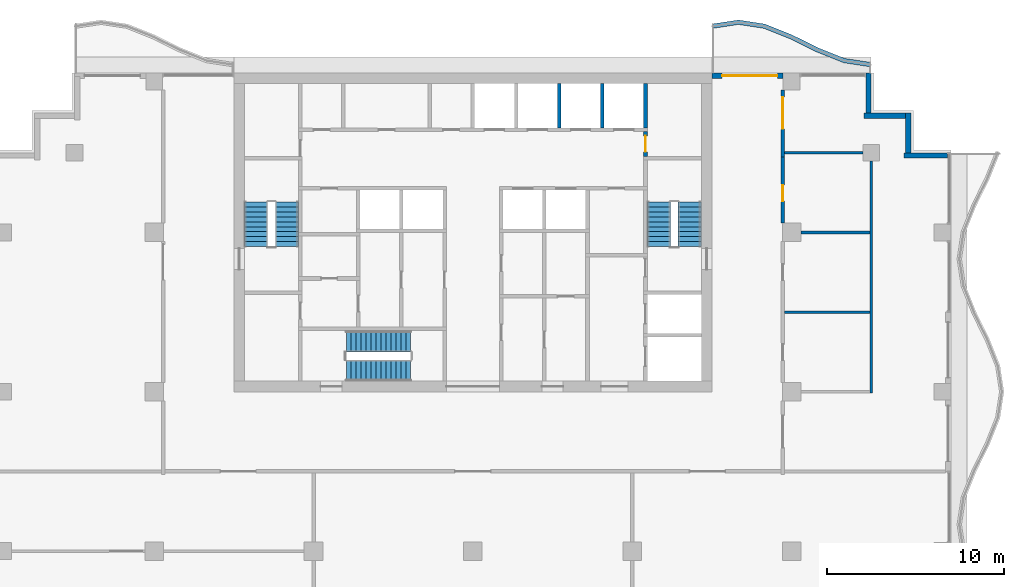
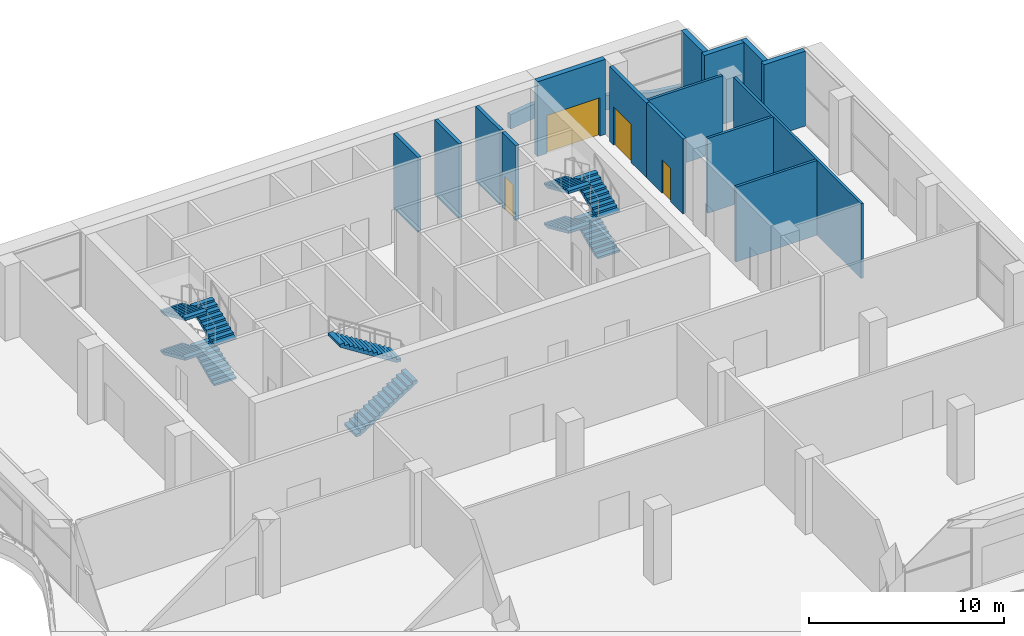
# One storey, part 10 of 15: 16 walls, 10 stair flights, 4 doors, 4 openings, 3 elements without a shape of their own.
"""IFC4 building model written with IfcOpenShell, lengths in metres."""

from ifc_helpers import new_model, si_unit, direction, frame, frame_2d, origin, place, context, subcontext, project, spatial, polyline, rectangle, outline, extrude, material, layer, layer_set, type_object, element, fill, aggregate, save


model = new_model("IFC4")

# Units and contexts
model_context = context("Model", 3, precision=1e-05, world=origin(), true_north=direction((0.0, 1.0)))
body_context = subcontext(model_context, "Body", "Model", "MODEL_VIEW")
ifc_project = project(units=[si_unit("LENGTHUNIT", "METRE"), si_unit("AREAUNIT", "SQUARE_METRE"), si_unit("VOLUMEUNIT", "CUBIC_METRE"), si_unit("PLANEANGLEUNIT", "RADIAN"), si_unit("MASSUNIT", "GRAM", prefix="KILO")], contexts=[model_context])

# Site, building, storey
site_placement = place(None, origin())
site = spatial("IfcSite", under=ifc_project, at=site_placement, CompositionType="ELEMENT")
building_placement = place(site_placement, origin())
building = spatial("IfcBuilding", under=site, at=building_placement, Name="Orbiselva Terraces", CompositionType="ELEMENT")
storey_placement = place(building_placement, frame((0.0, 0.0, 233.8)))
storey = spatial("IfcBuildingStorey", under=building, at=storey_placement, Name="L59", CompositionType="ELEMENT", Elevation=233.8)

# Wall, opening, door
ifc_material_1 = material(Name="Masonry blockwork", Category="masonry")
ifc_layer_1 = layer(ifc_material_1, 0.2)
ifc_layer_set_1 = layer_set([ifc_layer_1], Name="Masonry blockwork")
wall_type_1 = type_object("IfcWallType", Name="CORE-WALL-PARTITION-200", PredefinedType="PARTITIONING", material=ifc_layer_set_1)
wall_1_placement = place(storey_placement, frame((9.75, 19.2, 0.0), z_axis=(0.0, 0.0, 1.0), x_axis=(0.0, -1.0, 0.0)))
wall_1 = element("IfcWall", 1, at=wall_1_placement, inside=storey, type_object=wall_type_1, Name="L59 core wall 53", PredefinedType="PARTITIONING", context=body_context, shape_type="SweptSolid", body=[
    extrude(rectangle(XDim=1.4, YDim=0.2, at=frame_2d((0.7, 0.0))), origin(), (0.0, 0.0, 1.0), 4.7),
])
opening_1_placement = place(wall_1_placement, frame((0.25, 0.0, 0.0)))
opening_1 = element("IfcOpeningElement", 2, at=opening_1_placement, cuts=wall_1, Name="Opening DR900", PredefinedType="OPENING", context=body_context, shape_type="SweptSolid", body=[
    extrude(rectangle(XDim=0.9, YDim=2.1, at=frame_2d((0.45, 1.05))), frame((0.0, 0.11, 0.0), z_axis=(0.0, -1.0, 0.0), x_axis=(1.0, 0.0, 0.0)), (0.0, 0.0, 1.0), 0.22),
])
ifc_material_2 = material(Name="Steel fire door", Category="steel")
door_type_1 = type_object("IfcDoorType", Name="ROOM DOOR 900", OperationType="NOTDEFINED", PredefinedType="DOOR", material=ifc_material_2)
door_1_placement = place(opening_1_placement, origin())
door_1 = element("IfcDoor", 3, at=door_1_placement, inside=storey, type_object=door_type_1, Name="L59 COMMS RISER ROOM door", OperationType="SINGLE_SWING_RIGHT", OverallHeight=2.1, OverallWidth=0.9, PredefinedType="DOOR", context=body_context, shape_type="SweptSolid", body=[
    extrude(rectangle(XDim=0.9, YDim=2.1, at=frame_2d((0.45, 1.05))), frame((0.0, 0.025, 0.0), z_axis=(0.0, -1.0, 0.0), x_axis=(1.0, 0.0, 0.0)), (0.0, 0.0, 1.0), 0.05),
])
fill(opening_1, door_1)

# Walls
ifc_material_3 = material(Name="Concrete C40/50", Category="concrete")
ifc_layer_2 = layer(ifc_material_3, 0.2)
ifc_layer_set_2 = layer_set([ifc_layer_2], Name="Concrete C40/50")
wall_type_2 = type_object("IfcWallType", Name="CORE-WALL-SHAFT-200", PredefinedType="PARTITIONING", material=ifc_layer_set_2)
for number, where, z_axis, x_axis, name in (
    (4, (4.875, 19.4, 0.0), (0.0, 0.0, 1.0), (0.0, 1.0, 0.0), "L59 core wall 38"),
    (5, (7.3125, 19.4, 0.0), (0.0, 0.0, 1.0), (0.0, 1.0, 0.0), "L59 core wall 44"),
    (6, (9.75, 19.4, 0.0), (0.0, 0.0, 1.0), (0.0, 1.0, 0.0), "L59 core wall 54"),
):
    element("IfcWall", number, at=place(storey_placement, frame(where, z_axis=z_axis, x_axis=x_axis)), inside=storey, type_object=wall_type_2, Name=name, PredefinedType="PARTITIONING", context=body_context, shape_type="SweptSolid", body=[
        extrude(rectangle(XDim=2.5, YDim=0.2, at=frame_2d((1.25, 0.0))), origin(), (0.0, 0.0, 1.0), 4.7),
    ])
ifc_layer_3 = layer(ifc_material_3, 0.25)
ifc_layer_set_3 = layer_set([ifc_layer_3], Name="Concrete C40/50")
wall_type_3 = type_object("IfcWallType", Name="ENV-PLANTER-250x900", PredefinedType="USERDEFINED", material=ifc_layer_set_3)
wall_2_placement = place(storey_placement, origin())
element("IfcWall", 7, at=wall_2_placement, inside=storey, type_object=wall_type_3, Name="Balcony planter L59 NE", ObjectType="PLANTER", PredefinedType="USERDEFINED", context=body_context, shape_type="SweptSolid", body=[
    extrude(outline(polyline([(22.5, 23.1), (21.0, 23.32918), (19.5, 23.92918), (18.0, 24.67082), (16.5, 25.27082), (15.0, 25.5), (13.5, 25.27082), (13.537758, 25.023688), (15.0, 25.247099), (16.433834, 25.028028), (17.898017, 24.442355), (19.398017, 23.700715), (20.933834, 23.086388), (22.462242, 22.852868), (22.5, 23.1)])), origin(), (0.0, 0.0, 1.0), 0.9),
])
ifc_material_4 = material(Name="Terracotta cladding on masonry backing", Category="masonry")
ifc_layer_4 = layer(ifc_material_4, 0.3)
ifc_layer_set_4 = layer_set([ifc_layer_4], Name="Terracotta cladding on masonry backing")
wall_type_4 = type_object("IfcWallType", Name="ENV-WALL-TERRACOTTA-300", PredefinedType="SOLIDWALL", material=ifc_layer_set_4)
wall_3_placement = place(storey_placement, frame((24.35, 17.85, 0.0), z_axis=(0.0, 0.0, 1.0), x_axis=(1.0, 0.0, 0.0)))
element("IfcWall", 8, at=wall_3_placement, inside=storey, type_object=wall_type_4, Name="Facade wall L59 STEP", PredefinedType="SOLIDWALL", context=body_context, shape_type="SweptSolid", body=[
    extrude(rectangle(XDim=2.45, YDim=0.3, at=frame_2d((1.225, 0.0))), origin(), (0.0, 0.0, 1.0), 4.7),
])
wall_4_placement = place(storey_placement, frame((24.6, 20.25, 0.0), z_axis=(0.0, 0.0, 1.0), x_axis=(0.0, -1.0, 0.0)))
element("IfcWall", 9, at=wall_4_placement, inside=storey, type_object=wall_type_4, Name="Facade wall L59 STEP", PredefinedType="SOLIDWALL", context=body_context, shape_type="SweptSolid", body=[
    extrude(rectangle(XDim=2.25, YDim=0.3, at=frame_2d((1.125, 0.0))), origin(), (0.0, 0.0, 1.0), 4.7),
])
wall_5_placement = place(storey_placement, frame((22.1, 20.1, 0.0), z_axis=(0.0, 0.0, 1.0), x_axis=(1.0, 0.0, 0.0)))
element("IfcWall", 10, at=wall_5_placement, inside=storey, type_object=wall_type_4, Name="Facade wall L59 STEP", PredefinedType="SOLIDWALL", context=body_context, shape_type="SweptSolid", body=[
    extrude(rectangle(XDim=2.35, YDim=0.3, at=frame_2d((1.175, 0.0))), origin(), (0.0, 0.0, 1.0), 4.7),
])
wall_6_placement = place(storey_placement, frame((22.35, 22.5, 0.0), z_axis=(0.0, 0.0, 1.0), x_axis=(0.0, -1.0, 0.0)))
element("IfcWall", 11, at=wall_6_placement, inside=storey, type_object=wall_type_4, Name="Facade wall L59 STEP", PredefinedType="SOLIDWALL", context=body_context, shape_type="SweptSolid", body=[
    extrude(rectangle(XDim=2.25, YDim=0.3, at=frame_2d((1.125, 0.0))), origin(), (0.0, 0.0, 1.0), 4.7),
])

# Wall, opening, door
wall_7_placement = place(storey_placement, frame((13.5, 22.35, 0.0), z_axis=(0.0, 0.0, 1.0), x_axis=(1.0, 0.0, 0.0)))
wall_7 = element("IfcWall", 12, at=wall_7_placement, inside=storey, type_object=wall_type_4, Name="Facade wall L59 NE", PredefinedType="SOLIDWALL", context=body_context, shape_type="SweptSolid", body=[
    extrude(rectangle(XDim=4.025, YDim=0.3, at=frame_2d((2.0125, 0.0))), origin(), (0.0, 0.0, 1.0), 4.7),
])
opening_2_placement = place(wall_7_placement, frame((0.575, 0.0, 0.0)))
opening_2 = element("IfcOpeningElement", 13, at=opening_2_placement, cuts=wall_7, Name="Opening SKY-4-E08", PredefinedType="OPENING", context=body_context, shape_type="SweptSolid", body=[
    extrude(rectangle(XDim=3.125, YDim=2.4, at=frame_2d((1.5625, 1.2))), frame((0.0, 0.16, 0.0), z_axis=(0.0, -1.0, 0.0), x_axis=(1.0, 0.0, 0.0)), (0.0, 0.0, 1.0), 0.32),
])
ifc_material_5 = material(Name="Clear low-e glazing in aluminium frame", Category="aluminium")
door_type_2 = type_object("IfcDoorType", Name="BALCONY DOOR 3125 X 2400", OperationType="DOUBLE_DOOR_SLIDING", PredefinedType="DOOR", material=ifc_material_5)
door_2_placement = place(opening_2_placement, origin())
door_2 = element("IfcDoor", 14, at=door_2_placement, inside=storey, type_object=door_type_2, Name="SKY-4-E08", OperationType="SINGLE_SWING_LEFT", OverallHeight=2.4, OverallWidth=3.125, PredefinedType="DOOR", context=body_context, shape_type="SweptSolid", body=[
    extrude(rectangle(XDim=3.125, YDim=2.4, at=frame_2d((1.5625, 1.2))), frame((0.0, 0.025, 0.0), z_axis=(0.0, -1.0, 0.0), x_axis=(1.0, 0.0, 0.0)), (0.0, 0.0, 1.0), 0.05),
])
fill(opening_2, door_2)

ifc_material_6 = material(Name="Plasterboard on steel stud partition", Category="steel")
ifc_layer_5 = layer(ifc_material_6, 0.2)
ifc_layer_set_5 = layer_set([ifc_layer_5], Name="Plasterboard on steel stud partition")
wall_type_5 = type_object("IfcWallType", Name="UNIT-ENTRANCE-WALL-200", PredefinedType="PARTITIONING", material=ifc_layer_set_5)
wall_8_placement = place(storey_placement, frame((17.5, 17.7625, 0.0), z_axis=(0.0, 0.0, 1.0), x_axis=(0.0, -1.0, 0.0)))
wall_8 = element("IfcWall", 15, at=wall_8_placement, inside=storey, type_object=wall_type_5, Name="PARTITION L59-025", PredefinedType="PARTITIONING", context=body_context, shape_type="SweptSolid", body=[
    extrude(rectangle(XDim=3.7375, YDim=0.2, at=frame_2d((1.86875, 0.0))), origin(), (0.0, 0.0, 1.0), 4.7),
])
opening_3_placement = place(wall_8_placement, frame((1.5875, 0.0, 0.0)))
opening_3 = element("IfcOpeningElement", 16, at=opening_3_placement, cuts=wall_8, Name="Opening SKY-4-09", PredefinedType="OPENING", context=body_context, shape_type="SweptSolid", body=[
    extrude(rectangle(XDim=0.9, YDim=2.1, at=frame_2d((0.45, 1.05))), frame((0.0, 0.11, 0.0), z_axis=(0.0, -1.0, 0.0), x_axis=(1.0, 0.0, 0.0)), (0.0, 0.0, 1.0), 0.22),
])
ifc_material_7 = material(Name="Painted timber door leaf", Category="wood")
door_type_3 = type_object("IfcDoorType", Name="BATH DOOR 900", OperationType="NOTDEFINED", PredefinedType="DOOR", material=ifc_material_7)
door_3_placement = place(opening_3_placement, origin())
door_3 = element("IfcDoor", 17, at=door_3_placement, inside=storey, type_object=door_type_3, Name="SKY-4-09", OperationType="SINGLE_SWING_RIGHT", OverallHeight=2.1, OverallWidth=0.9, PredefinedType="DOOR", context=body_context, shape_type="SweptSolid", body=[
    extrude(rectangle(XDim=0.9, YDim=2.1, at=frame_2d((0.45, 1.05))), frame((0.0, 0.025, 0.0), z_axis=(0.0, -1.0, 0.0), x_axis=(1.0, 0.0, 0.0)), (0.0, 0.0, 1.0), 0.05),
])
fill(opening_3, door_3)

wall_9_placement = place(storey_placement, frame((17.5, 17.7625, 0.0), z_axis=(0.0, 0.0, 1.0), x_axis=(0.0, 1.0, 0.0)))
wall_9 = element("IfcWall", 18, at=wall_9_placement, inside=storey, type_object=wall_type_5, Name="PARTITION L59-026", PredefinedType="PARTITIONING", context=body_context, shape_type="SweptSolid", body=[
    extrude(rectangle(XDim=3.7875, YDim=0.2, at=frame_2d((1.89375, 0.0))), origin(), (0.0, 0.0, 1.0), 4.7),
])
opening_4_placement = place(wall_9_placement, frame((1.5875, 0.0, 0.0)))
opening_4 = element("IfcOpeningElement", 19, at=opening_4_placement, cuts=wall_9, Name="Opening SKY-4-06", PredefinedType="OPENING", context=body_context, shape_type="SweptSolid", body=[
    extrude(rectangle(XDim=1.8, YDim=2.4, at=frame_2d((0.9, 1.2))), frame((0.0, 0.11, 0.0), z_axis=(0.0, -1.0, 0.0), x_axis=(1.0, 0.0, 0.0)), (0.0, 0.0, 1.0), 0.22),
])
door_type_4 = type_object("IfcDoorType", Name="DOUBLE DOOR 1800", OperationType="NOTDEFINED", PredefinedType="DOOR", material=ifc_material_7)
door_4_placement = place(opening_4_placement, origin())
door_4 = element("IfcDoor", 20, at=door_4_placement, inside=storey, type_object=door_type_4, Name="SKY-4-06", OperationType="DOUBLE_DOOR_SINGLE_SWING", OverallHeight=2.4, OverallWidth=1.8, PredefinedType="DOOR", context=body_context, shape_type="SweptSolid", body=[
    extrude(rectangle(XDim=1.8, YDim=2.4, at=frame_2d((0.9, 1.2))), frame((0.0, 0.025, 0.0), z_axis=(0.0, -1.0, 0.0), x_axis=(1.0, 0.0, 0.0)), (0.0, 0.0, 1.0), 0.05),
])
fill(opening_4, door_4)

# Walls
ifc_layer_6 = layer(ifc_material_6, 0.15)
ifc_layer_set_6 = layer_set([ifc_layer_6], Name="Plasterboard on steel stud partition")
wall_type_6 = type_object("IfcWallType", Name="UNIT-PARTITION-150", PredefinedType="PARTITIONING", material=ifc_layer_set_6)
wall_10_placement = place(storey_placement, frame((17.6, 9.0, 0.0), z_axis=(0.0, 0.0, 1.0), x_axis=(1.0, 0.0, 0.0)))
element("IfcWall", 21, at=wall_10_placement, inside=storey, type_object=wall_type_6, Name="PARTITION L59-011", PredefinedType="PARTITIONING", context=body_context, shape_type="SweptSolid", body=[
    extrude(rectangle(XDim=4.825, YDim=0.15, at=frame_2d((2.4125, 0.0))), origin(), (0.0, 0.0, 1.0), 4.7),
])
wall_11_placement = place(storey_placement, frame((18.525, 13.5, 0.0), z_axis=(0.0, 0.0, 1.0), x_axis=(1.0, 0.0, 0.0)))
element("IfcWall", 22, at=wall_11_placement, inside=storey, type_object=wall_type_6, Name="PARTITION L59-012", PredefinedType="PARTITIONING", context=body_context, shape_type="SweptSolid", body=[
    extrude(rectangle(XDim=3.9, YDim=0.15, at=frame_2d((1.95, 0.0))), origin(), (0.0, 0.0, 1.0), 4.7),
])
wall_12_placement = place(storey_placement, frame((17.6, 18.0, 0.0), z_axis=(0.0, 0.0, 1.0), x_axis=(1.0, 0.0, 0.0)))
element("IfcWall", 23, at=wall_12_placement, inside=storey, type_object=wall_type_6, Name="PARTITION L59-013", PredefinedType="PARTITIONING", context=body_context, shape_type="SweptSolid", body=[
    extrude(rectangle(XDim=4.425, YDim=0.15, at=frame_2d((2.2125, 0.0))), origin(), (0.0, 0.0, 1.0), 4.7),
])
wall_13_placement = place(storey_placement, frame((22.5, 4.425, 0.0), z_axis=(0.0, 0.0, 1.0), x_axis=(0.0, 1.0, 0.0)))
element("IfcWall", 24, at=wall_13_placement, inside=storey, type_object=wall_type_6, Name="PARTITION L59-027", PredefinedType="PARTITIONING", context=body_context, shape_type="SweptSolid", body=[
    extrude(rectangle(XDim=13.1, YDim=0.15, at=frame_2d((6.55, 0.0))), origin(), (0.0, 0.0, 1.0), 4.7),
])

# Stair, stair flights
stair_type_1 = type_object("IfcStairType", Name="CORE-STAIR-1200", PredefinedType="HALF_TURN_STAIR", material=ifc_material_3)
stair_1_placement = place(storey_placement, origin())
stair_1 = element("IfcStair", 25, at=stair_1_placement, inside=storey, type_object=stair_type_1, Name="L59 Exit Stair S3", PredefinedType="HALF_TURN_STAIR")
stair_flight_type_1 = type_object("IfcStairFlightType", Name="CORE-STAIR-FLIGHT-1200", PredefinedType="STRAIGHT", material=ifc_material_3)
stair_flight_1_placement = place(storey_placement, frame((-7.15, 5.7, 0.0), z_axis=(0.0, 0.0, 1.0), x_axis=(1.0, 0.0, 0.0)))
stair_flight_1 = element("IfcStairFlight", 26, at=stair_flight_1_placement, type_object=stair_flight_type_1, Name="S3 flight 1", NumberOfRisers=14, NumberOfTreads=13, PredefinedType="STRAIGHT", RiserHeight=0.178571429, TreadLength=0.28, context=body_context, shape_type="SweptSolid", body=[
    extrude(outline(polyline([(0.0, 0.0), (0.0, 0.178571), (0.28, 0.178571), (0.28, 0.357143), (0.56, 0.357143), (0.56, 0.535714), (0.84, 0.535714), (0.84, 0.714286), (1.12, 0.714286), (1.12, 0.892857), (1.4, 0.892857), (1.4, 1.071429), (1.68, 1.071429), (1.68, 1.25), (1.96, 1.25), (1.96, 1.428571), (2.24, 1.428571), (2.24, 1.607143), (2.52, 1.607143), (2.52, 1.785714), (2.8, 1.785714), (2.8, 1.964286), (3.08, 1.964286), (3.08, 2.142857), (3.36, 2.142857), (3.36, 2.321429), (3.64, 2.321429), (3.64, 2.5), (3.64, 2.14352), (0.278961, 0.0), (0.0, 0.0)])), frame((0.0, 0.6, 0.0), z_axis=(0.0, -1.0, 0.0), x_axis=(1.0, 0.0, 0.0)), (0.0, 0.0, 1.0), 1.2),
])
stair_flight_2_placement = place(storey_placement, frame((-3.51, 7.35, 2.5), z_axis=(0.0, 0.0, 1.0), x_axis=(-1.0, 0.0, 0.0)))
stair_flight_2 = element("IfcStairFlight", 27, at=stair_flight_2_placement, type_object=stair_flight_type_1, Name="S3 flight 2", NumberOfRisers=14, NumberOfTreads=13, PredefinedType="STRAIGHT", RiserHeight=0.178571429, TreadLength=0.28, context=body_context, shape_type="SweptSolid", body=[
    extrude(outline(polyline([(0.0, 0.0), (0.0, 0.178571), (0.28, 0.178571), (0.28, 0.357143), (0.56, 0.357143), (0.56, 0.535714), (0.84, 0.535714), (0.84, 0.714286), (1.12, 0.714286), (1.12, 0.892857), (1.4, 0.892857), (1.4, 1.071429), (1.68, 1.071429), (1.68, 1.25), (1.96, 1.25), (1.96, 1.428571), (2.24, 1.428571), (2.24, 1.607143), (2.52, 1.607143), (2.52, 1.785714), (2.8, 1.785714), (2.8, 1.964286), (3.08, 1.964286), (3.08, 2.142857), (3.36, 2.142857), (3.36, 2.321429), (3.64, 2.321429), (3.64, 2.5), (3.64, 2.14352), (0.278961, 0.0), (0.0, 0.0)])), frame((0.0, 0.6, 0.0), z_axis=(0.0, -1.0, 0.0), x_axis=(1.0, 0.0, 0.0)), (0.0, 0.0, 1.0), 1.2),
])
aggregate(stair_1, [stair_flight_1, stair_flight_2])

stair_type_2 = type_object("IfcStairType", Name="CORE-STAIR-1300", PredefinedType="HALF_TURN_STAIR", material=ifc_material_3)
stair_2_placement = place(storey_placement, origin())
stair_2 = element("IfcStair", 28, at=stair_2_placement, inside=storey, type_object=stair_type_2, Name="L59 Exit Stair S1", PredefinedType="HALF_TURN_STAIR")
stair_flight_type_2 = type_object("IfcStairFlightType", Name="CORE-STAIR-FLIGHT-1300", PredefinedType="STRAIGHT", material=ifc_material_3)
stair_flight_3_placement = place(storey_placement, frame((-10.5, 12.7, 0.0), z_axis=(0.0, 0.0, 1.0), x_axis=(0.0, 1.0, 0.0)))
stair_flight_3 = element("IfcStairFlight", 29, at=stair_flight_3_placement, type_object=stair_flight_type_2, Name="S1 flight 1", NumberOfRisers=10, NumberOfTreads=9, PredefinedType="STRAIGHT", RiserHeight=0.125, TreadLength=0.28, context=body_context, shape_type="SweptSolid", body=[
    extrude(outline(polyline([(0.0, 0.0), (0.0, 0.125), (0.28, 0.125), (0.28, 0.25), (0.56, 0.25), (0.56, 0.375), (0.84, 0.375), (0.84, 0.5), (1.12, 0.5), (1.12, 0.625), (1.4, 0.625), (1.4, 0.75), (1.68, 0.75), (1.68, 0.875), (1.96, 0.875), (1.96, 1.0), (2.24, 1.0), (2.24, 1.125), (2.52, 1.125), (2.52, 1.25), (2.52, 0.960731), (0.367962, 0.0), (0.0, 0.0)])), frame((0.0, 0.65, 0.0), z_axis=(0.0, -1.0, 0.0), x_axis=(1.0, 0.0, 0.0)), (0.0, 0.0, 1.0), 1.3),
])
stair_flight_4_placement = place(storey_placement, frame((-12.25, 15.22, 1.25), z_axis=(0.0, 0.0, 1.0), x_axis=(0.0, -1.0, 0.0)))
stair_flight_4 = element("IfcStairFlight", 30, at=stair_flight_4_placement, type_object=stair_flight_type_2, Name="S1 flight 2", NumberOfRisers=10, NumberOfTreads=9, PredefinedType="STRAIGHT", RiserHeight=0.125, TreadLength=0.28, context=body_context, shape_type="SweptSolid", body=[
    extrude(outline(polyline([(0.0, 0.0), (0.0, 0.125), (0.28, 0.125), (0.28, 0.25), (0.56, 0.25), (0.56, 0.375), (0.84, 0.375), (0.84, 0.5), (1.12, 0.5), (1.12, 0.625), (1.4, 0.625), (1.4, 0.75), (1.68, 0.75), (1.68, 0.875), (1.96, 0.875), (1.96, 1.0), (2.24, 1.0), (2.24, 1.125), (2.52, 1.125), (2.52, 1.25), (2.52, 0.960731), (0.367962, 0.0), (0.0, 0.0)])), frame((0.0, 0.65, 0.0), z_axis=(0.0, -1.0, 0.0), x_axis=(1.0, 0.0, 0.0)), (0.0, 0.0, 1.0), 1.3),
])
stair_flight_5_placement = place(storey_placement, frame((-10.5, 12.7, 2.5), z_axis=(0.0, 0.0, 1.0), x_axis=(0.0, 1.0, 0.0)))
stair_flight_5 = element("IfcStairFlight", 31, at=stair_flight_5_placement, type_object=stair_flight_type_2, Name="S1 flight 3", NumberOfRisers=10, NumberOfTreads=9, PredefinedType="STRAIGHT", RiserHeight=0.125, TreadLength=0.28, context=body_context, shape_type="SweptSolid", body=[
    extrude(outline(polyline([(0.0, 0.0), (0.0, 0.125), (0.28, 0.125), (0.28, 0.25), (0.56, 0.25), (0.56, 0.375), (0.84, 0.375), (0.84, 0.5), (1.12, 0.5), (1.12, 0.625), (1.4, 0.625), (1.4, 0.75), (1.68, 0.75), (1.68, 0.875), (1.96, 0.875), (1.96, 1.0), (2.24, 1.0), (2.24, 1.125), (2.52, 1.125), (2.52, 1.25), (2.52, 0.960731), (0.367962, 0.0), (0.0, 0.0)])), frame((0.0, 0.65, 0.0), z_axis=(0.0, -1.0, 0.0), x_axis=(1.0, 0.0, 0.0)), (0.0, 0.0, 1.0), 1.3),
])
stair_flight_6_placement = place(storey_placement, frame((-12.25, 15.22, 3.75), z_axis=(0.0, 0.0, 1.0), x_axis=(0.0, -1.0, 0.0)))
stair_flight_6 = element("IfcStairFlight", 32, at=stair_flight_6_placement, type_object=stair_flight_type_2, Name="S1 flight 4", NumberOfRisers=10, NumberOfTreads=9, PredefinedType="STRAIGHT", RiserHeight=0.125, TreadLength=0.28, context=body_context, shape_type="SweptSolid", body=[
    extrude(outline(polyline([(0.0, 0.0), (0.0, 0.125), (0.28, 0.125), (0.28, 0.25), (0.56, 0.25), (0.56, 0.375), (0.84, 0.375), (0.84, 0.5), (1.12, 0.5), (1.12, 0.625), (1.4, 0.625), (1.4, 0.75), (1.68, 0.75), (1.68, 0.875), (1.96, 0.875), (1.96, 1.0), (2.24, 1.0), (2.24, 1.125), (2.52, 1.125), (2.52, 1.25), (2.52, 0.960731), (0.367962, 0.0), (0.0, 0.0)])), frame((0.0, 0.65, 0.0), z_axis=(0.0, -1.0, 0.0), x_axis=(1.0, 0.0, 0.0)), (0.0, 0.0, 1.0), 1.3),
])
aggregate(stair_2, [stair_flight_3, stair_flight_4, stair_flight_5, stair_flight_6])

stair_3_placement = place(storey_placement, origin())
stair_3 = element("IfcStair", 33, at=stair_3_placement, inside=storey, type_object=stair_type_2, Name="L59 Exit Stair S2", PredefinedType="HALF_TURN_STAIR")
stair_flight_7_placement = place(storey_placement, frame((12.25, 12.7, 0.0), z_axis=(0.0, 0.0, 1.0), x_axis=(0.0, 1.0, 0.0)))
stair_flight_7 = element("IfcStairFlight", 34, at=stair_flight_7_placement, type_object=stair_flight_type_2, Name="S2 flight 1", NumberOfRisers=10, NumberOfTreads=9, PredefinedType="STRAIGHT", RiserHeight=0.125, TreadLength=0.28, context=body_context, shape_type="SweptSolid", body=[
    extrude(outline(polyline([(0.0, 0.0), (0.0, 0.125), (0.28, 0.125), (0.28, 0.25), (0.56, 0.25), (0.56, 0.375), (0.84, 0.375), (0.84, 0.5), (1.12, 0.5), (1.12, 0.625), (1.4, 0.625), (1.4, 0.75), (1.68, 0.75), (1.68, 0.875), (1.96, 0.875), (1.96, 1.0), (2.24, 1.0), (2.24, 1.125), (2.52, 1.125), (2.52, 1.25), (2.52, 0.960731), (0.367962, 0.0), (0.0, 0.0)])), frame((0.0, 0.65, 0.0), z_axis=(0.0, -1.0, 0.0), x_axis=(1.0, 0.0, 0.0)), (0.0, 0.0, 1.0), 1.3),
])
stair_flight_8_placement = place(storey_placement, frame((10.5, 15.22, 1.25), z_axis=(0.0, 0.0, 1.0), x_axis=(0.0, -1.0, 0.0)))
stair_flight_8 = element("IfcStairFlight", 35, at=stair_flight_8_placement, type_object=stair_flight_type_2, Name="S2 flight 2", NumberOfRisers=10, NumberOfTreads=9, PredefinedType="STRAIGHT", RiserHeight=0.125, TreadLength=0.28, context=body_context, shape_type="SweptSolid", body=[
    extrude(outline(polyline([(0.0, 0.0), (0.0, 0.125), (0.28, 0.125), (0.28, 0.25), (0.56, 0.25), (0.56, 0.375), (0.84, 0.375), (0.84, 0.5), (1.12, 0.5), (1.12, 0.625), (1.4, 0.625), (1.4, 0.75), (1.68, 0.75), (1.68, 0.875), (1.96, 0.875), (1.96, 1.0), (2.24, 1.0), (2.24, 1.125), (2.52, 1.125), (2.52, 1.25), (2.52, 0.960731), (0.367962, 0.0), (0.0, 0.0)])), frame((0.0, 0.65, 0.0), z_axis=(0.0, -1.0, 0.0), x_axis=(1.0, 0.0, 0.0)), (0.0, 0.0, 1.0), 1.3),
])
stair_flight_9_placement = place(storey_placement, frame((12.25, 12.7, 2.5), z_axis=(0.0, 0.0, 1.0), x_axis=(0.0, 1.0, 0.0)))
stair_flight_9 = element("IfcStairFlight", 36, at=stair_flight_9_placement, type_object=stair_flight_type_2, Name="S2 flight 3", NumberOfRisers=10, NumberOfTreads=9, PredefinedType="STRAIGHT", RiserHeight=0.125, TreadLength=0.28, context=body_context, shape_type="SweptSolid", body=[
    extrude(outline(polyline([(0.0, 0.0), (0.0, 0.125), (0.28, 0.125), (0.28, 0.25), (0.56, 0.25), (0.56, 0.375), (0.84, 0.375), (0.84, 0.5), (1.12, 0.5), (1.12, 0.625), (1.4, 0.625), (1.4, 0.75), (1.68, 0.75), (1.68, 0.875), (1.96, 0.875), (1.96, 1.0), (2.24, 1.0), (2.24, 1.125), (2.52, 1.125), (2.52, 1.25), (2.52, 0.960731), (0.367962, 0.0), (0.0, 0.0)])), frame((0.0, 0.65, 0.0), z_axis=(0.0, -1.0, 0.0), x_axis=(1.0, 0.0, 0.0)), (0.0, 0.0, 1.0), 1.3),
])
stair_flight_10_placement = place(storey_placement, frame((10.5, 15.22, 3.75), z_axis=(0.0, 0.0, 1.0), x_axis=(0.0, -1.0, 0.0)))
stair_flight_10 = element("IfcStairFlight", 37, at=stair_flight_10_placement, type_object=stair_flight_type_2, Name="S2 flight 4", NumberOfRisers=10, NumberOfTreads=9, PredefinedType="STRAIGHT", RiserHeight=0.125, TreadLength=0.28, context=body_context, shape_type="SweptSolid", body=[
    extrude(outline(polyline([(0.0, 0.0), (0.0, 0.125), (0.28, 0.125), (0.28, 0.25), (0.56, 0.25), (0.56, 0.375), (0.84, 0.375), (0.84, 0.5), (1.12, 0.5), (1.12, 0.625), (1.4, 0.625), (1.4, 0.75), (1.68, 0.75), (1.68, 0.875), (1.96, 0.875), (1.96, 1.0), (2.24, 1.0), (2.24, 1.125), (2.52, 1.125), (2.52, 1.25), (2.52, 0.960731), (0.367962, 0.0), (0.0, 0.0)])), frame((0.0, 0.65, 0.0), z_axis=(0.0, -1.0, 0.0), x_axis=(1.0, 0.0, 0.0)), (0.0, 0.0, 1.0), 1.3),
])
aggregate(stair_3, [stair_flight_7, stair_flight_8, stair_flight_9, stair_flight_10])

save(model, "model.ifc")
